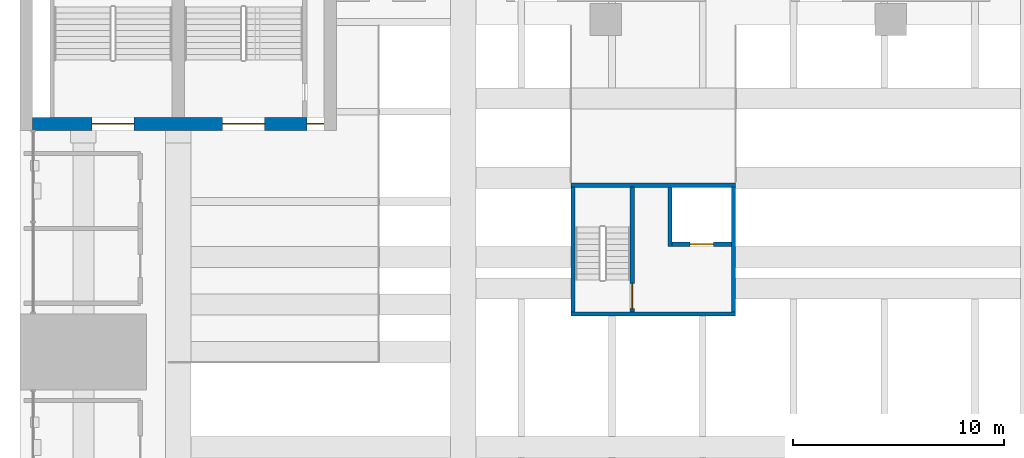
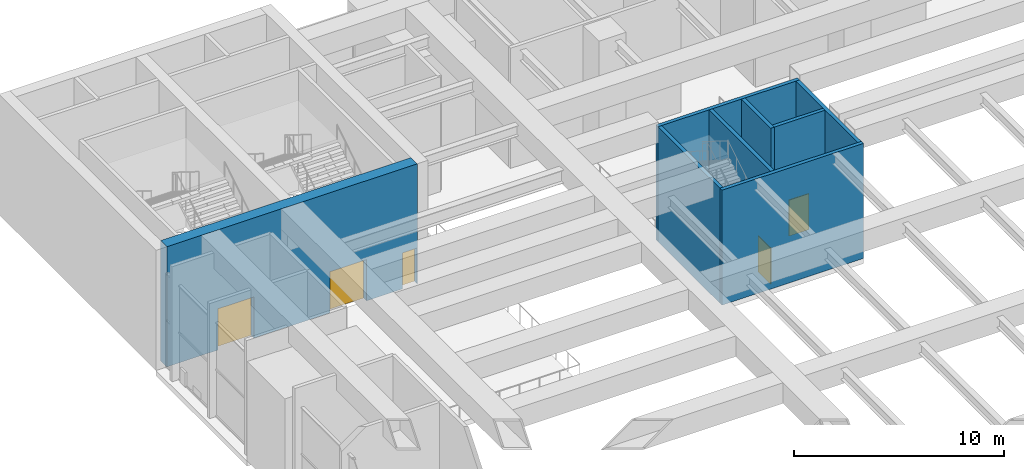
# One storey, part 27 of 45: 8 walls, 5 doors, 5 openings.
"""IFC4 building model written with IfcOpenShell, lengths in metres."""

from ifc_helpers import new_model, si_unit, direction, frame, frame_2d, origin, place, context, subcontext, project, spatial, rectangle, extrude, material, layer, layer_set, type_object, element, fill, save


model = new_model("IFC4")

# Units and contexts
model_context = context("Model", 3, precision=1e-05, world=origin(), true_north=direction((0.0, 1.0)))
body_context = subcontext(model_context, "Body", "Model", "MODEL_VIEW")
ifc_project = project(units=[si_unit("LENGTHUNIT", "METRE"), si_unit("AREAUNIT", "SQUARE_METRE"), si_unit("VOLUMEUNIT", "CUBIC_METRE"), si_unit("PLANEANGLEUNIT", "RADIAN"), si_unit("MASSUNIT", "GRAM", prefix="KILO")], contexts=[model_context])

# Site, building, storey
site_placement = place(None, origin())
site = spatial("IfcSite", under=ifc_project, at=site_placement, CompositionType="ELEMENT")
building_placement = place(site_placement, origin())
building = spatial("IfcBuilding", under=site, at=building_placement, Name="Corbelhall Arena Tower", CompositionType="ELEMENT")
storey_placement = place(building_placement, frame((0.0, 0.0, 37.0)))
storey = spatial("IfcBuildingStorey", under=building, at=storey_placement, Name="L05", CompositionType="ELEMENT", Elevation=37.0)

# Walls
ifc_material_1 = material(Name="Concrete C40/50", Category="concrete")
ifc_layer_1 = layer(ifc_material_1, 0.199951171875)
ifc_layer_set_1 = layer_set([ifc_layer_1], Name="IN-W-EAR200")
wall_type_1 = type_object("IfcWallType", Name="IN-W-EAR200", PredefinedType="SOLIDWALL", material=ifc_layer_set_1)
for number, where, z_axis, x_axis, name in (
    (1, (-21.89990234375, 15.300048828125, 0.0), (0.0, 0.0, 1.0), (1.0, 0.0, 0.0), "Fire service turret wall south"),
    (2, (-21.89990234375, 21.39990234375, 0.0), (0.0, 0.0, 1.0), (1.0, 0.0, 0.0), "Fire service turret wall north"),
):
    element("IfcWall", number, at=place(storey_placement, frame(where, z_axis=z_axis, x_axis=x_axis)), inside=storey, type_object=wall_type_1, Name=name, PredefinedType="SOLIDWALL", context=body_context, shape_type="SweptSolid", body=[
        extrude(rectangle(XDim=7.7998046875, YDim=0.199951171875, at=frame_2d((3.89990234375, 0.0))), origin(), (0.0, 0.0, 1.0), 6.699951171875),
    ])
for number, where, z_axis, x_axis, name in (
    (3, (-21.800048828125, 15.39990234375, 0.0), (0.0, 0.0, 1.0), (0.0, 1.0, 0.0), "Fire service turret wall west"),
    (4, (-14.199951171875, 15.39990234375, 0.0), (0.0, 0.0, 1.0), (0.0, 1.0, 0.0), "Fire service turret wall east"),
):
    element("IfcWall", number, at=place(storey_placement, frame(where, z_axis=z_axis, x_axis=x_axis)), inside=storey, type_object=wall_type_1, Name=name, PredefinedType="SOLIDWALL", context=body_context, shape_type="SweptSolid", body=[
        extrude(rectangle(XDim=5.900146484375, YDim=0.199951171875, at=frame_2d((2.9501953125, 0.0))), origin(), (0.0, 0.0, 1.0), 6.699951171875),
    ])

# Wall, opening, door
wall_1_placement = place(storey_placement, frame((-18.989990234375, 15.39990234375, 0.0), z_axis=(0.0, 0.0, 1.0), x_axis=(0.0, 1.0, 0.0)))
wall_1 = element("IfcWall", 5, at=wall_1_placement, inside=storey, type_object=wall_type_1, Name="Fire service turret wall stair", PredefinedType="SOLIDWALL", context=body_context, shape_type="SweptSolid", body=[
    extrude(rectangle(XDim=5.900146484375, YDim=0.199951171875, at=frame_2d((2.9501953125, 0.0))), origin(), (0.0, 0.0, 1.0), 6.699951171875),
])
opening_1_placement = place(wall_1_placement, frame((0.14990234375, 0.0, 0.0)))
opening_1 = element("IfcOpeningElement", 6, at=opening_1_placement, cuts=wall_1, Name="Opening E051", PredefinedType="OPENING", context=body_context, shape_type="SweptSolid", body=[
    extrude(rectangle(XDim=1.199951171875, YDim=2.10009765625, at=frame_2d((0.60009765625, 1.050048828125))), frame((0.0, 0.10009765625, 0.0), z_axis=(0.0, -1.0, 0.0), x_axis=(1.0, 0.0, 0.0)), (0.0, 0.0, 1.0), 0.199951171875),
])
ifc_material_2 = material(Name="Steel door set", Category="steel")
door_type_1 = type_object("IfcDoorType", Name="IN-D-ST120", OperationType="NOTDEFINED", PredefinedType="DOOR", material=ifc_material_2)
door_1_placement = place(opening_1_placement, origin())
door_1 = element("IfcDoor", 7, at=door_1_placement, inside=storey, type_object=door_type_1, Name="Stair door to fire service lobby", OperationType="SINGLE_SWING_LEFT", OverallHeight=2.10009765625, OverallWidth=1.199951171875, PredefinedType="DOOR", context=body_context, shape_type="SweptSolid", body=[
    extrude(rectangle(XDim=1.199951171875, YDim=2.10009765625, at=frame_2d((0.60009765625, 1.050048828125))), frame((0.0, 0.02490234375, 0.0), z_axis=(0.0, -1.0, 0.0), x_axis=(1.0, 0.0, 0.0)), (0.0, 0.0, 1.0), 0.050048828125),
])
fill(opening_1, door_1)

# Wall
wall_2_placement = place(storey_placement, frame((-17.199951171875, 18.5, 0.0), z_axis=(0.0, 0.0, 1.0), x_axis=(0.0, 1.0, 0.0)))
element("IfcWall", 8, at=wall_2_placement, inside=storey, type_object=wall_type_1, Name="Fire service turret wall hoistway west", PredefinedType="SOLIDWALL", context=body_context, shape_type="SweptSolid", body=[
    extrude(rectangle(XDim=2.800048828125, YDim=0.199951171875, at=frame_2d((1.39990234375, 0.0))), origin(), (0.0, 0.0, 1.0), 6.699951171875),
])

# Wall, opening, door
wall_3_placement = place(storey_placement, frame((-17.10009765625, 18.60009765625, 0.0), z_axis=(0.0, 0.0, 1.0), x_axis=(1.0, 0.0, 0.0)))
wall_3 = element("IfcWall", 9, at=wall_3_placement, inside=storey, type_object=wall_type_1, Name="Fire service turret wall hoistway south", PredefinedType="SOLIDWALL", context=body_context, shape_type="SweptSolid", body=[
    extrude(rectangle(XDim=2.800048828125, YDim=0.199951171875, at=frame_2d((1.39990234375, 0.0))), origin(), (0.0, 0.0, 1.0), 6.699951171875),
])
opening_2_placement = place(wall_3_placement, frame((0.85009765625, 0.0, 0.0)))
opening_2 = element("IfcOpeningElement", 10, at=opening_2_placement, cuts=wall_3, Name="Opening LD", PredefinedType="OPENING", context=body_context, shape_type="SweptSolid", body=[
    extrude(rectangle(XDim=1.10009765625, YDim=2.10009765625, at=frame_2d((0.550048828125, 1.050048828125))), frame((0.0, 0.10009765625, 0.0), z_axis=(0.0, -1.0, 0.0), x_axis=(1.0, 0.0, 0.0)), (0.0, 0.0, 1.0), 0.199951171875),
])
door_type_2 = type_object("IfcDoorType", Name="IN-D-LD110", OperationType="NOTDEFINED", PredefinedType="DOOR", material=ifc_material_2)
door_2_placement = place(opening_2_placement, origin())
door_2 = element("IfcDoor", 11, at=door_2_placement, inside=storey, type_object=door_type_2, Name="Landing door FS1", OperationType="SLIDING_TO_LEFT", OverallHeight=2.10009765625, OverallWidth=1.10009765625, PredefinedType="DOOR", context=body_context, shape_type="SweptSolid", body=[
    extrude(rectangle(XDim=1.10009765625, YDim=2.10009765625, at=frame_2d((0.550048828125, 1.050048828125))), frame((0.0, 0.02490234375, 0.0), z_axis=(0.0, -1.0, 0.0), x_axis=(1.0, 0.0, 0.0)), (0.0, 0.0, 1.0), 0.050048828125),
])
fill(opening_2, door_2)

# Wall, openings, doors
ifc_material_3 = material(Name="Concrete C80/95", Category="concrete")
ifc_layer_2 = layer(ifc_material_3, 0.60009765625)
ifc_layer_set_2 = layer_set([ifc_layer_2], Name="PO-CORE-WALL")
wall_type_2 = type_object("IfcWallType", Name="PO-CORE-WALL", PredefinedType="SHEAR", material=ifc_layer_set_2)
wall_4_placement = place(storey_placement, frame((-47.39990234375, 24.300048828125, 0.0), z_axis=(0.0, 0.0, 1.0), x_axis=(1.0, 0.0, 0.0)))
wall_4 = element("IfcWall", 12, at=wall_4_placement, inside=storey, type_object=wall_type_2, Name="CORE NW WALL S L05", PredefinedType="SHEAR", context=body_context, shape_type="SweptSolid", body=[
    extrude(rectangle(XDim=13.7998046875, YDim=0.60009765625, at=frame_2d((6.89990234375, 0.0))), origin(), (0.0, 0.0, 1.0), 7.0),
])
opening_3_placement = place(wall_4_placement, frame((8.9951171875, 0.0, 0.0)))
opening_3 = element("IfcOpeningElement", 13, at=opening_3_placement, cuts=wall_4, Name="Opening DA0074", PredefinedType="OPENING", context=body_context, shape_type="SweptSolid", body=[
    extrude(rectangle(XDim=2.0, YDim=2.39990234375, at=frame_2d((1.0, 1.199951171875))), frame((0.0, 0.300048828125, 0.0), z_axis=(0.0, -1.0, 0.0), x_axis=(1.0, 0.0, 0.0)), (0.0, 0.0, 1.0), 0.60009765625),
])
opening_4_placement = place(wall_4_placement, frame((2.804931640625, 0.0, 0.0)))
opening_4 = element("IfcOpeningElement", 14, at=opening_4_placement, cuts=wall_4, Name="Opening DA0082", PredefinedType="OPENING", context=body_context, shape_type="SweptSolid", body=[
    extrude(rectangle(XDim=2.0, YDim=2.39990234375, at=frame_2d((1.0, 1.199951171875))), frame((0.0, 0.300048828125, 0.0), z_axis=(0.0, -1.0, 0.0), x_axis=(1.0, 0.0, 0.0)), (0.0, 0.0, 1.0), 0.60009765625),
])
opening_5_placement = place(wall_4_placement, frame((12.9951171875, 0.0, 0.0)))
opening_5 = element("IfcOpeningElement", 15, at=opening_5_placement, cuts=wall_4, Name="Opening DA0477", PredefinedType="OPENING", context=body_context, shape_type="SweptSolid", body=[
    extrude(rectangle(XDim=0.800048828125, YDim=2.10009765625, at=frame_2d((0.39990234375, 1.050048828125))), frame((0.0, 0.300048828125, 0.0), z_axis=(0.0, -1.0, 0.0), x_axis=(1.0, 0.0, 0.0)), (0.0, 0.0, 1.0), 0.60009765625),
])
ifc_material_4 = material(Name="Steel", Category="steel")
door_type_3 = type_object("IfcDoorType", Name="AR-PLANT-DOOR", OperationType="SINGLE_SWING_LEFT", PredefinedType="DOOR", material=ifc_material_4)
door_3_placement = place(opening_5_placement, origin())
door_3 = element("IfcDoor", 16, at=door_3_placement, inside=storey, type_object=door_type_3, Name="Electrical plant room 02 door", OperationType="SINGLE_SWING_LEFT", OverallHeight=2.10009765625, OverallWidth=0.800048828125, PredefinedType="DOOR", context=body_context, shape_type="SweptSolid", body=[
    extrude(rectangle(XDim=0.800048828125, YDim=2.10009765625, at=frame_2d((0.39990234375, 1.050048828125))), frame((0.0, 0.02490234375, 0.0), z_axis=(0.0, -1.0, 0.0), x_axis=(1.0, 0.0, 0.0)), (0.0, 0.0, 1.0), 0.050048828125),
])
fill(opening_5, door_3)
ifc_material_5 = material(Name="Steel and glass", Category="steel")
door_type_4 = type_object("IfcDoorType", Name="AR-STAIR-DOOR", OperationType="DOUBLE_DOOR_SINGLE_SWING", PredefinedType="DOOR", material=ifc_material_5)
door_4_placement = place(opening_3_placement, origin())
door_4 = element("IfcDoor", 17, at=door_4_placement, inside=storey, type_object=door_type_4, Name="Stair AS3 door", OperationType="DOUBLE_DOOR_SINGLE_SWING", OverallHeight=2.39990234375, OverallWidth=2.0, PredefinedType="DOOR", context=body_context, shape_type="SweptSolid", body=[
    extrude(rectangle(XDim=2.0, YDim=2.39990234375, at=frame_2d((1.0, 1.199951171875))), frame((0.0, 0.02490234375, 0.0), z_axis=(0.0, -1.0, 0.0), x_axis=(1.0, 0.0, 0.0)), (0.0, 0.0, 1.0), 0.050048828125),
])
fill(opening_3, door_4)
door_5_placement = place(opening_4_placement, origin())
door_5 = element("IfcDoor", 18, at=door_5_placement, inside=storey, type_object=door_type_4, Name="Stair AS4 door", OperationType="DOUBLE_DOOR_SINGLE_SWING", OverallHeight=2.39990234375, OverallWidth=2.0, PredefinedType="DOOR", context=body_context, shape_type="SweptSolid", body=[
    extrude(rectangle(XDim=2.0, YDim=2.39990234375, at=frame_2d((1.0, 1.199951171875))), frame((0.0, 0.02490234375, 0.0), z_axis=(0.0, -1.0, 0.0), x_axis=(1.0, 0.0, 0.0)), (0.0, 0.0, 1.0), 0.050048828125),
])
fill(opening_4, door_5)

save(model, "model.ifc")
